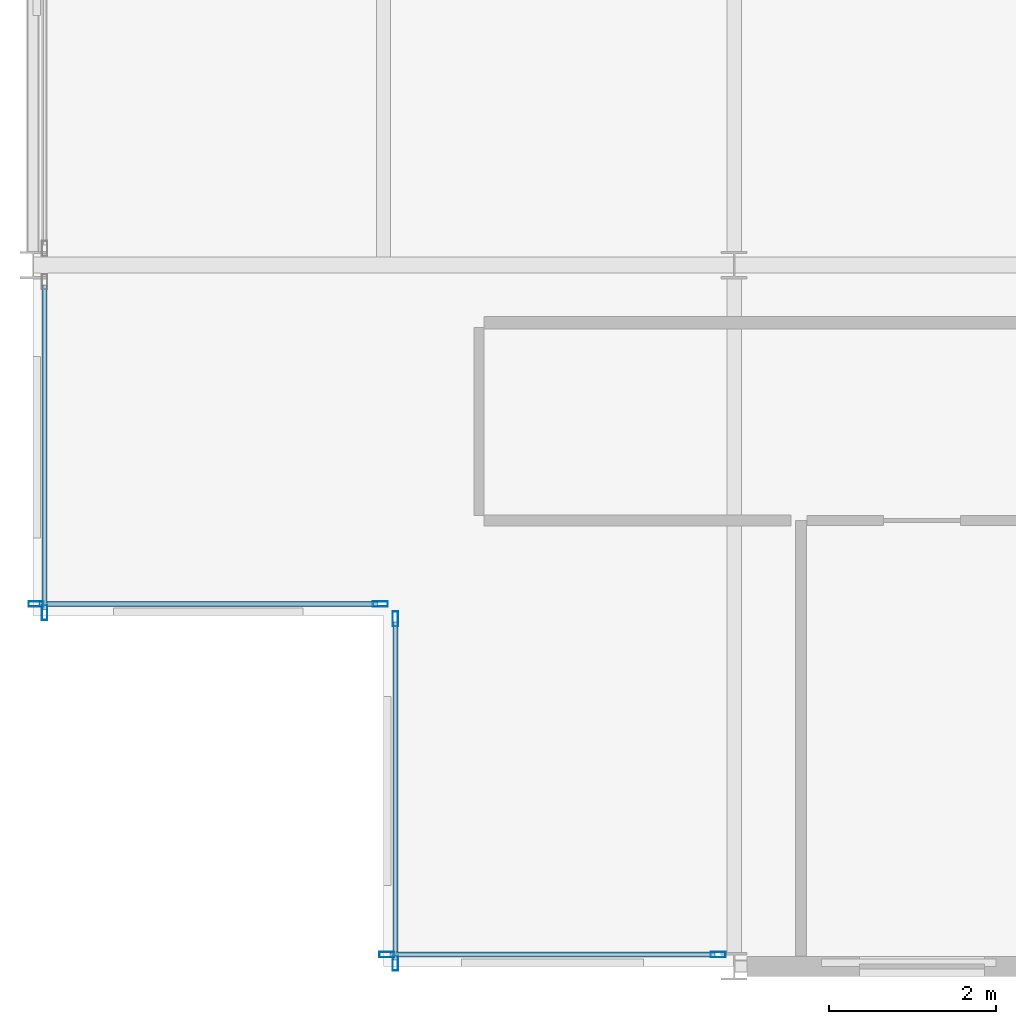
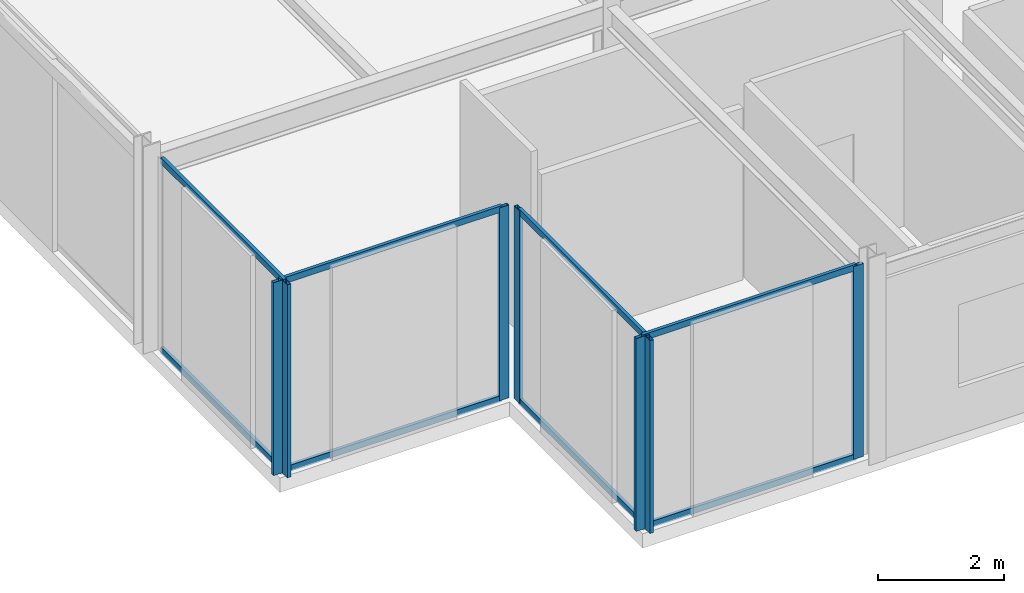
# One storey, part 3 of 26: 15 members, 4 elements without a shape of their own.
"""IFC4 building model written with IfcOpenShell, lengths in metres."""

import ifcopenshell
import ifcopenshell.guid

model = None  # the IFC model being written
_history = None  # IfcOwnerHistory: only IFC2X3 demands one
_inside = {}  # id of a spatial element -> (the spatial element, [elements in it])
_under = {}  # id of a project, library or spatial element -> (it, [spatial elements below it])
_declared = {}  # id of a project -> (the project, [libraries it declares])
_typed = {}  # id of a type object -> (the type object, [elements of that type])
_made_of = {}  # id of a material, layer set ... -> (it, [elements and type objects made of it])


def new_model(schema):
    """Start an empty IFC model of exactly this schema.

    Asked for "IFC4X3", IfcOpenShell would pick the latest addendum, in which some entities
    have other attributes; the version numbers below select the first issue.
    IFC2X3 requires an IfcOwnerHistory on every rooted entity: one is made here for all.
    """
    global model, _history
    if schema == "IFC4X3":
        model = ifcopenshell.file(schema_version=(4, 3, 0, 0))
    else:
        model = ifcopenshell.file(schema=schema)
    _inside.clear()
    _under.clear()
    _declared.clear()
    _typed.clear()
    _made_of.clear()
    _history = None
    if model.schema == "IFC2X3":
        org = make("IfcOrganization", Name="unknown")
        user = make(
            "IfcPersonAndOrganization",
            ThePerson=make("IfcPerson", FamilyName="unknown"),
            TheOrganization=org,
        )
        app = make(
            "IfcApplication",
            ApplicationDeveloper=org,
            Version="unknown",
            ApplicationFullName="unknown",
            ApplicationIdentifier="unknown",
        )
        _history = make(
            "IfcOwnerHistory",
            OwningUser=user,
            OwningApplication=app,
            ChangeAction="ADDED",
            CreationDate=0,
        )
    return model


def make(cls, **values):
    """One entity of the class cls with the attributes given. An attribute that is None is left unset."""
    return model.create_entity(
        cls, **{name: value for name, value in values.items() if value is not None}
    )


def rooted(cls, **values):
    """An entity with a GlobalId (a new one), such as an element, a storey or a relation."""
    return make(cls, GlobalId=ifcopenshell.guid.new(), OwnerHistory=_history, **values)


def si_unit(unit_type, name, prefix=None):
    """IfcSIUnit, for example si_unit("LENGTHUNIT", "METRE", prefix="MILLI")."""
    return make("IfcSIUnit", UnitType=unit_type, Prefix=prefix, Name=name)


def assignment(units):
    """IfcUnitAssignment: the units of a project."""
    return None if units is None else make("IfcUnitAssignment", Units=units)


def point(xyz):
    """IfcCartesianPoint."""
    return None if xyz is None else make("IfcCartesianPoint", Coordinates=xyz)


def direction(xyz):
    """IfcDirection."""
    return None if xyz is None else make("IfcDirection", DirectionRatios=xyz)


def frame(location, z_axis=None, x_axis=None):
    """IfcAxis2Placement3D, a coordinate frame: its origin and axes. An axis left out is left unset."""
    return make(
        "IfcAxis2Placement3D",
        Location=point(location),
        Axis=direction(z_axis),
        RefDirection=direction(x_axis),
    )


def frame_2d(location, x_axis=None):
    """IfcAxis2Placement2D, a coordinate frame in the plane: its origin and x axis."""
    return make(
        "IfcAxis2Placement2D", Location=point(location), RefDirection=direction(x_axis)
    )


def origin():
    """The frame at (0, 0, 0) with its axes left unset."""
    return frame((0.0, 0.0, 0.0))


def origin_2d():
    """The frame at (0, 0) in the plane with its x axis left unset."""
    return frame_2d((0.0, 0.0))


def place(relative_to, where):
    """IfcLocalPlacement: puts the frame where relative to a parent placement (None: the world)."""
    return make(
        "IfcLocalPlacement", PlacementRelTo=relative_to, RelativePlacement=where
    )


def context(
    kind, dimensions, precision=None, world=None, true_north=None, identifier=None
):
    """IfcGeometricRepresentationContext, for example the 3D "Model" context."""
    return make(
        "IfcGeometricRepresentationContext",
        ContextIdentifier=identifier,
        ContextType=kind,
        CoordinateSpaceDimension=dimensions,
        Precision=precision,
        WorldCoordinateSystem=world,
        TrueNorth=true_north,
    )


def subcontext(parent, identifier, kind, view, scale=None):
    """IfcGeometricRepresentationSubContext, for example "Body" below "Model"."""
    return make(
        "IfcGeometricRepresentationSubContext",
        ContextIdentifier=identifier,
        ContextType=kind,
        ParentContext=parent,
        TargetScale=scale,
        TargetView=view,
    )


def project(units=None, contexts=None):
    """IfcProject with its units and contexts."""
    return rooted(
        "IfcProject",
        Name="project",
        RepresentationContexts=contexts,
        UnitsInContext=assignment(units),
    )


def spatial(cls, under=None, at=None, **own):
    """A site, building, storey or space (cls), placed at a placement, below another one or the project."""
    s = rooted(cls, ObjectPlacement=at, **own)
    if under is not None:
        _under.setdefault(under.id(), (under, []))[1].append(s)
    return s


def profile(cls, at=None, kind="AREA", **sizes):
    """A parametric profile (cls). Its sizes go by their IFC names, for example OverallWidth=200.0."""
    return make(cls, ProfileType=kind, Position=at, **sizes)


def hollow_rectangle(**sizes):
    """IfcRectangleHollowProfileDef."""
    return profile("IfcRectangleHollowProfileDef", **sizes)


def extrude(swept, where, along, depth):
    """IfcExtrudedAreaSolid: the profile swept, set in the frame where, extruded along a direction by depth."""
    return make(
        "IfcExtrudedAreaSolid",
        SweptArea=swept,
        Position=where,
        ExtrudedDirection=direction(along),
        Depth=depth,
    )


def shape(context_of_items, identifier, shape_type, items):
    """IfcShapeRepresentation: the items that make up one representation, for example the "Body"."""
    return make(
        "IfcShapeRepresentation",
        ContextOfItems=context_of_items,
        RepresentationIdentifier=identifier,
        RepresentationType=shape_type,
        Items=items,
    )


def material(Name=None, Category=None):
    """IfcMaterial."""
    return make("IfcMaterial", Name=Name, Category=Category)


def layer(
    of_material, thickness, ventilated=None, Name=None, Category=None, Priority=None
):
    """IfcMaterialLayer: one layer of a wall or slab, of a material (None: an air gap)."""
    return make(
        "IfcMaterialLayer",
        Material=of_material,
        LayerThickness=thickness,
        IsVentilated=ventilated,
        Name=Name,
        Category=Category,
        Priority=Priority,
    )


def layer_set(layers, Name=None):
    """IfcMaterialLayerSet."""
    return make("IfcMaterialLayerSet", MaterialLayers=layers, LayerSetName=Name)


def material_profile(
    of_material, cross_section, Name=None, Category=None, Priority=None
):
    """IfcMaterialProfile: a cross section and its material."""
    return make(
        "IfcMaterialProfile",
        Name=Name,
        Material=of_material,
        Profile=cross_section,
        Priority=Priority,
        Category=Category,
    )


def profile_set(profiles, Name=None, composite=None):
    """IfcMaterialProfileSet."""
    return make(
        "IfcMaterialProfileSet",
        Name=Name,
        MaterialProfiles=profiles,
        CompositeProfile=composite,
    )


def made_of(thing, what):
    """Note that an element or type object is made of a material, layer set ...; save() writes the relation."""
    if what is not None:
        _made_of.setdefault(what.id(), (what, []))[1].append(thing)
    return thing


def type_object(cls, material=None, **own):
    """A type object (cls), such as IfcWallType, which elements share."""
    return made_of(rooted(cls, **own), material)


def element(
    cls,
    number,
    at=None,
    inside=None,
    cuts=None,
    type_object=None,
    material=None,
    context=None,
    identifier="Body",
    shape_type=None,
    held_by="IfcProductDefinitionShape",
    body=None,
    shapes=None,
    **own,
):
    """One element of the class cls, such as IfcWall. Its Tag is "e" and its number.

    at: its placement. inside: the storey or other place that contains it. cuts: it is an
    opening in that element (IfcRelVoidsElement). A single representation is given by context,
    identifier, shape_type and body (its items); several are given by shapes. held_by: the class
    of the entity that holds the representations. save() writes the other relations.
    """
    e = rooted(cls, Tag="e%d" % number, ObjectPlacement=at, **own)
    if body is not None:
        shapes = [shape(context, identifier, shape_type, body)]
    if shapes is not None:
        e.Representation = make(held_by, Representations=shapes)
    if inside is not None:
        _inside.setdefault(inside.id(), (inside, []))[1].append(e)
    if cuts is not None:
        rooted(
            "IfcRelVoidsElement", RelatingBuildingElement=cuts, RelatedOpeningElement=e
        )
    if type_object is not None:
        _typed.setdefault(type_object.id(), (type_object, []))[1].append(e)
    return made_of(e, material)


def aggregate(whole, parts):
    """IfcRelAggregates: a whole, such as a stair, and the parts it consists of."""
    return rooted("IfcRelAggregates", RelatingObject=whole, RelatedObjects=parts)


def save(model, path):
    """Write the relations noted so far, then the file.

    IfcRelAggregates (storeys below a building ...), IfcRelContainedInSpatialStructure (elements
    in a storey), IfcRelDefinesByType, IfcRelAssociatesMaterial and IfcRelDeclares: one each for
    every whole, place, type object, material and project.
    """
    for whole, parts in _under.values():
        aggregate(whole, parts)
    for where, things in _inside.values():
        rooted(
            "IfcRelContainedInSpatialStructure",
            RelatedElements=things,
            RelatingStructure=where,
        )
    for kind, things in _typed.values():
        rooted("IfcRelDefinesByType", RelatedObjects=things, RelatingType=kind)
    for what, things in _made_of.values():
        rooted("IfcRelAssociatesMaterial", RelatedObjects=things, RelatingMaterial=what)
    for by, libraries in _declared.values():
        rooted("IfcRelDeclares", RelatingContext=by, RelatedDefinitions=libraries)
    model.write(path)


model = new_model("IFC4")

# Units and contexts
model_context = context("Model", 3, precision=1e-05, world=origin(), true_north=direction((0.0, 1.0)))
body_context = subcontext(model_context, "Body", "Model", "MODEL_VIEW")
ifc_project = project(units=[si_unit("LENGTHUNIT", "METRE"), si_unit("AREAUNIT", "SQUARE_METRE"), si_unit("VOLUMEUNIT", "CUBIC_METRE"), si_unit("PLANEANGLEUNIT", "RADIAN"), si_unit("MASSUNIT", "GRAM", prefix="KILO")], contexts=[model_context])

# Site, building, storey
site_placement = place(None, origin())
site = spatial("IfcSite", under=ifc_project, at=site_placement, CompositionType="ELEMENT")
building_placement = place(site_placement, origin())
building = spatial("IfcBuilding", under=site, at=building_placement, Name="Nerrivon Quay Data Exchange", CompositionType="ELEMENT")
storey_placement = place(building_placement, frame((0.0, 0.0, 250.199951171875)))
storey = spatial("IfcBuildingStorey", under=building, at=storey_placement, Name="L59", CompositionType="ELEMENT", Elevation=250.199951171875)

# Curtain wall, members
ifc_material = material(Name="Anodised aluminium 6063-T6", Category="aluminium")
ifc_layer = layer(ifc_material, 0.195068359375)
ifc_layer_set = layer_set([ifc_layer], Name="Anodised aluminium 6063-T6")
curtain_wall_type = type_object("IfcCurtainWallType", Name="CW-SYS-06", PredefinedType="NOTDEFINED", material=ifc_layer_set)
curtain_wall_1_placement = place(storey_placement, origin())
curtain_wall_1 = element("IfcCurtainWall", 1, at=curtain_wall_1_placement, inside=storey, type_object=curtain_wall_type, Name="L59 Unitised Curtain Wall 8", PredefinedType="NOTDEFINED")
ifc_material_profile_1 = material_profile(ifc_material, hollow_rectangle(XDim=0.06494140625, YDim=0.179931640625, WallThickness=0.00341796875, at=origin_2d()), Name="ALU-MULL-180x65")
ifc_profile_set_1 = profile_set([ifc_material_profile_1], Name="Anodised aluminium 6063-T6")
member_type_1 = type_object("IfcMemberType", Name="CWM-180x65", PredefinedType="MULLION", material=ifc_profile_set_1)
member_1_placement = place(storey_placement, frame((8.20703125, 0.139892578125, 0.0), z_axis=(0.0, 0.0, 1.0), x_axis=(0.0, -1.0, 0.0)))
member_1 = element("IfcMember", 2, at=member_1_placement, type_object=member_type_1, Name="CW06 mullion 1", PredefinedType="MULLION", context=body_context, shape_type="SweptSolid", body=[
    extrude(hollow_rectangle(XDim=0.06494140625, YDim=0.179931640625, WallThickness=0.00341796875, at=origin_2d()), origin(), (0.0, 0.0, 1.0), 3.72509765625),
])
member_2_placement = place(storey_placement, frame((4.237548828125, 0.139892578125, 0.0), z_axis=(0.0, 0.0, 1.0), x_axis=(0.0, -1.0, 0.0)))
member_2 = element("IfcMember", 3, at=member_2_placement, type_object=member_type_1, Name="CW06 mullion 2", PredefinedType="MULLION", context=body_context, shape_type="SweptSolid", body=[
    extrude(hollow_rectangle(XDim=0.06494140625, YDim=0.179931640625, WallThickness=0.00341796875, at=origin_2d()), origin(), (0.0, 0.0, 1.0), 3.72509765625),
])

curtain_wall_2_placement = place(storey_placement, origin())
curtain_wall_2 = element("IfcCurtainWall", 4, at=curtain_wall_2_placement, inside=storey, type_object=curtain_wall_type, Name="L59 Unitised Curtain Wall 9", PredefinedType="NOTDEFINED")
member_3_placement = place(storey_placement, frame((4.340087890625, 0.03759765625, 0.0), z_axis=(0.0, 0.0, 1.0), x_axis=(-1.0, 0.0, 0.0)))
member_3 = element("IfcMember", 5, at=member_3_placement, type_object=member_type_1, Name="CW06 mullion 1", PredefinedType="MULLION", context=body_context, shape_type="SweptSolid", body=[
    extrude(hollow_rectangle(XDim=0.06494140625, YDim=0.179931640625, WallThickness=0.00341796875, at=origin_2d()), origin(), (0.0, 0.0, 1.0), 3.72509765625),
])
member_4_placement = place(storey_placement, frame((4.340087890625, 4.16259765625, 0.0), z_axis=(0.0, 0.0, 1.0), x_axis=(-1.0, 0.0, 0.0)))
member_4 = element("IfcMember", 6, at=member_4_placement, type_object=member_type_1, Name="CW06 mullion 2", PredefinedType="MULLION", context=body_context, shape_type="SweptSolid", body=[
    extrude(hollow_rectangle(XDim=0.06494140625, YDim=0.179931640625, WallThickness=0.00341796875, at=origin_2d()), origin(), (0.0, 0.0, 1.0), 3.72509765625),
])

curtain_wall_3_placement = place(storey_placement, origin())
curtain_wall_3 = element("IfcCurtainWall", 7, at=curtain_wall_3_placement, inside=storey, type_object=curtain_wall_type, Name="L59 Unitised Curtain Wall 10", PredefinedType="NOTDEFINED")
member_5_placement = place(storey_placement, frame((4.16259765625, 4.340087890625, 0.0), z_axis=(0.0, 0.0, 1.0), x_axis=(0.0, -1.0, 0.0)))
member_5 = element("IfcMember", 8, at=member_5_placement, type_object=member_type_1, Name="CW06 mullion 1", PredefinedType="MULLION", context=body_context, shape_type="SweptSolid", body=[
    extrude(hollow_rectangle(XDim=0.06494140625, YDim=0.179931640625, WallThickness=0.00341796875, at=origin_2d()), origin(), (0.0, 0.0, 1.0), 3.72509765625),
])
member_6_placement = place(storey_placement, frame((0.03759765625, 4.340087890625, 0.0), z_axis=(0.0, 0.0, 1.0), x_axis=(0.0, -1.0, 0.0)))
member_6 = element("IfcMember", 9, at=member_6_placement, type_object=member_type_1, Name="CW06 mullion 2", PredefinedType="MULLION", context=body_context, shape_type="SweptSolid", body=[
    extrude(hollow_rectangle(XDim=0.06494140625, YDim=0.179931640625, WallThickness=0.00341796875, at=origin_2d()), origin(), (0.0, 0.0, 1.0), 3.72509765625),
])

# Curtain wall, member
curtain_wall_4_placement = place(storey_placement, origin())
curtain_wall_4 = element("IfcCurtainWall", 10, at=curtain_wall_4_placement, inside=storey, type_object=curtain_wall_type, Name="L59 Unitised Curtain Wall 11", PredefinedType="NOTDEFINED")
member_7_placement = place(storey_placement, frame((0.139892578125, 4.237548828125, 0.0), z_axis=(0.0, 0.0, 1.0), x_axis=(-1.0, 0.0, 0.0)))
member_7 = element("IfcMember", 11, at=member_7_placement, type_object=member_type_1, Name="CW06 mullion 1", PredefinedType="MULLION", context=body_context, shape_type="SweptSolid", body=[
    extrude(hollow_rectangle(XDim=0.06494140625, YDim=0.179931640625, WallThickness=0.00341796875, at=origin_2d()), origin(), (0.0, 0.0, 1.0), 3.72509765625),
])

# Member
ifc_material_profile_2 = material_profile(ifc_material, hollow_rectangle(XDim=0.06005859375, YDim=0.1201171875, WallThickness=0.003173828125, at=origin_2d()), Name="ALU-TRAN-120x60")
ifc_profile_set_2 = profile_set([ifc_material_profile_2], Name="Anodised aluminium 6063-T6")
member_type_2 = type_object("IfcMemberType", Name="CWT-120x60", PredefinedType="USERDEFINED", material=ifc_profile_set_2)
member_8_placement = place(storey_placement, frame((8.16943359375, 0.139892578125, 0.032470703125), z_axis=(-1.0, 0.0, 0.0), x_axis=(0.0, -1.0, 0.0)))
member_8 = element("IfcMember", 12, at=member_8_placement, type_object=member_type_2, Name="CW06 transom 1.1", ObjectType="TRANSOM", PredefinedType="USERDEFINED", context=body_context, shape_type="SweptSolid", body=[
    extrude(hollow_rectangle(XDim=0.06005859375, YDim=0.1201171875, WallThickness=0.003173828125, at=origin_2d()), origin(), (0.0, 0.0, 1.0), 3.89453125),
])

member_9_placement = place(storey_placement, frame((8.16943359375, 0.139892578125, 3.692626953125), z_axis=(-1.0, 0.0, 0.0), x_axis=(0.0, -1.0, 0.0)))
member_9 = element("IfcMember", 13, at=member_9_placement, type_object=member_type_2, Name="CW06 transom 1.2", ObjectType="TRANSOM", PredefinedType="USERDEFINED", context=body_context, shape_type="SweptSolid", body=[
    extrude(hollow_rectangle(XDim=0.06005859375, YDim=0.1201171875, WallThickness=0.003173828125, at=origin_2d()), origin(), (0.0, 0.0, 1.0), 3.89453125),
])

aggregate(curtain_wall_1, [member_1, member_2, member_8, member_9])

member_10_placement = place(storey_placement, frame((4.340087890625, 0.074951171875, 0.032470703125), z_axis=(0.0, 1.0, 0.0), x_axis=(-1.0, 0.0, 0.0)))
member_10 = element("IfcMember", 14, at=member_10_placement, type_object=member_type_2, Name="CW06 transom 1.1", ObjectType="TRANSOM", PredefinedType="USERDEFINED", context=body_context, shape_type="SweptSolid", body=[
    extrude(hollow_rectangle(XDim=0.06005859375, YDim=0.1201171875, WallThickness=0.003173828125, at=origin_2d()), origin(), (0.0, 0.0, 1.0), 4.050048828125),
])

member_11_placement = place(storey_placement, frame((4.340087890625, 0.074951171875, 3.692626953125), z_axis=(0.0, 1.0, 0.0), x_axis=(-1.0, 0.0, 0.0)))
member_11 = element("IfcMember", 15, at=member_11_placement, type_object=member_type_2, Name="CW06 transom 1.2", ObjectType="TRANSOM", PredefinedType="USERDEFINED", context=body_context, shape_type="SweptSolid", body=[
    extrude(hollow_rectangle(XDim=0.06005859375, YDim=0.1201171875, WallThickness=0.003173828125, at=origin_2d()), origin(), (0.0, 0.0, 1.0), 4.050048828125),
])

aggregate(curtain_wall_2, [member_3, member_4, member_10, member_11])

member_12_placement = place(storey_placement, frame((4.125, 4.340087890625, 0.032470703125), z_axis=(-1.0, 0.0, 0.0), x_axis=(0.0, -1.0, 0.0)))
member_12 = element("IfcMember", 16, at=member_12_placement, type_object=member_type_2, Name="CW06 transom 1.1", ObjectType="TRANSOM", PredefinedType="USERDEFINED", context=body_context, shape_type="SweptSolid", body=[
    extrude(hollow_rectangle(XDim=0.06005859375, YDim=0.1201171875, WallThickness=0.003173828125, at=origin_2d()), origin(), (0.0, 0.0, 1.0), 4.050048828125),
])

member_13_placement = place(storey_placement, frame((4.125, 4.340087890625, 3.692626953125), z_axis=(-1.0, 0.0, 0.0), x_axis=(0.0, -1.0, 0.0)))
member_13 = element("IfcMember", 17, at=member_13_placement, type_object=member_type_2, Name="CW06 transom 1.2", ObjectType="TRANSOM", PredefinedType="USERDEFINED", context=body_context, shape_type="SweptSolid", body=[
    extrude(hollow_rectangle(XDim=0.06005859375, YDim=0.1201171875, WallThickness=0.003173828125, at=origin_2d()), origin(), (0.0, 0.0, 1.0), 4.050048828125),
])

aggregate(curtain_wall_3, [member_5, member_6, member_12, member_13])

member_14_placement = place(storey_placement, frame((0.139892578125, 4.27490234375, 0.032470703125), z_axis=(0.0, 1.0, 0.0), x_axis=(-1.0, 0.0, 0.0)))
member_14 = element("IfcMember", 18, at=member_14_placement, type_object=member_type_2, Name="CW06 transom 1.1", ObjectType="TRANSOM", PredefinedType="USERDEFINED", context=body_context, shape_type="SweptSolid", body=[
    extrude(hollow_rectangle(XDim=0.06005859375, YDim=0.1201171875, WallThickness=0.003173828125, at=origin_2d()), origin(), (0.0, 0.0, 1.0), 3.88671875),
])

member_15_placement = place(storey_placement, frame((0.139892578125, 4.27490234375, 3.692626953125), z_axis=(0.0, 1.0, 0.0), x_axis=(-1.0, 0.0, 0.0)))
member_15 = element("IfcMember", 19, at=member_15_placement, type_object=member_type_2, Name="CW06 transom 1.2", ObjectType="TRANSOM", PredefinedType="USERDEFINED", context=body_context, shape_type="SweptSolid", body=[
    extrude(hollow_rectangle(XDim=0.06005859375, YDim=0.1201171875, WallThickness=0.003173828125, at=origin_2d()), origin(), (0.0, 0.0, 1.0), 3.88671875),
])

aggregate(curtain_wall_4, [member_7, member_14, member_15])

save(model, "model.ifc")
